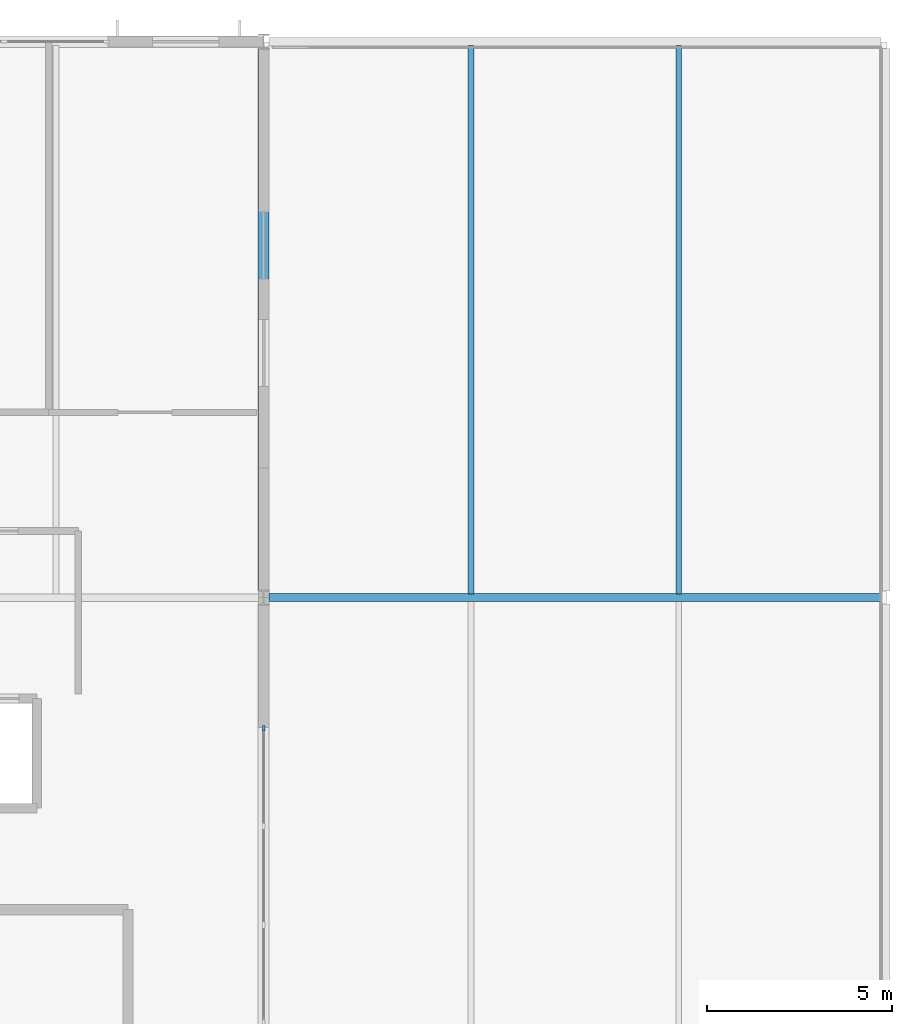
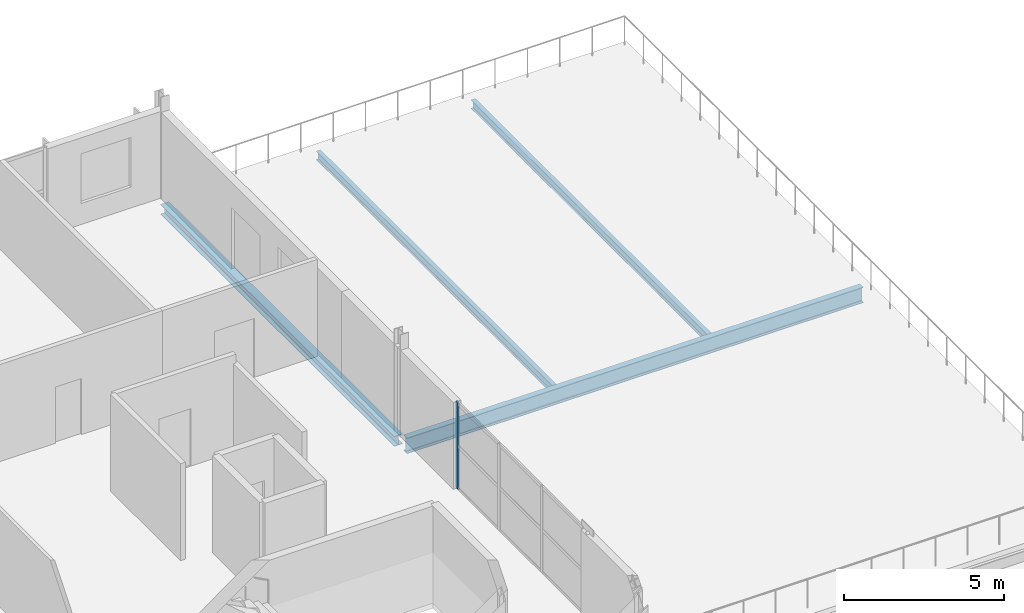
# One storey, part 23 of 36: 4 beams, 1 member, 1 element without a shape of its own.
"""IFC4 building model written with IfcOpenShell, lengths in metres."""

from ifc_helpers import new_model, si_unit, direction, frame, origin, origin_2d, place, context, subcontext, project, spatial, rectangle, i_section, extrude, material, material_profile, profile_set, type_object, element, aggregate, save


model = new_model("IFC4")

# Units and contexts
model_context = context("Model", 3, precision=1e-05, world=origin(), true_north=direction((0.0, 1.0)))
body_context = subcontext(model_context, "Body", "Model", "MODEL_VIEW")
ifc_project = project(units=[si_unit("LENGTHUNIT", "METRE"), si_unit("AREAUNIT", "SQUARE_METRE"), si_unit("VOLUMEUNIT", "CUBIC_METRE"), si_unit("PLANEANGLEUNIT", "RADIAN"), si_unit("MASSUNIT", "GRAM", prefix="KILO")], contexts=[model_context])

# Site, building, storey
site_placement = place(None, origin())
site = spatial("IfcSite", under=ifc_project, at=site_placement, CompositionType="ELEMENT")
building_placement = place(site_placement, origin())
building = spatial("IfcBuilding", under=site, at=building_placement, Name="Kimbaza Rail Terminus", CompositionType="ELEMENT")
storey_placement = place(building_placement, frame((0.0, 0.0, 21.0)))
storey = spatial("IfcBuildingStorey", under=building, at=storey_placement, Name="L04", CompositionType="ELEMENT", Elevation=21.0)

# Curtain wall, member
ifc_material_1 = material(Name="Anodised aluminium framing and solar low-E glazing", Category="aluminium")
curtain_wall_type = type_object("IfcCurtainWallType", Name="ARC-CW-OP2", PredefinedType="USERDEFINED", material=ifc_material_1)
curtain_wall_placement = place(storey_placement, origin())
curtain_wall = element("IfcCurtainWall", 1, at=curtain_wall_placement, inside=storey, type_object=curtain_wall_type, Name="Operations E Curtain Wall L04.1", ObjectType="STICK CURTAIN WALL", PredefinedType="USERDEFINED")
ifc_material_2 = material(Name="Anodised architectural aluminium", Category="aluminium")
ifc_material_profile_1 = material_profile(ifc_material_2, rectangle(XDim=0.05810546875, YDim=0.14990234375, at=origin_2d()), Name="MULLION 58x150")
ifc_profile_set_1 = profile_set([ifc_material_profile_1], Name="Anodised architectural aluminium")
member_type = type_object("IfcMemberType", Name="ARC-CWM-06", PredefinedType="MULLION", material=ifc_profile_set_1)
member_placement = place(storey_placement, frame((139.199951171875, 114.470947265625, 0.0), z_axis=(0.0, 0.0, 1.0), x_axis=(-1.0, 0.0, 0.0)))
member = element("IfcMember", 2, at=member_placement, type_object=member_type, Name="CW-06 mullion 4", PredefinedType="MULLION", context=body_context, shape_type="SweptSolid", body=[
    extrude(rectangle(XDim=0.05810546875, YDim=0.14990234375, at=origin_2d()), origin(), (0.0, 0.0, 1.0), 3.31494140625),
])
aggregate(curtain_wall, [member])

# Beams
ifc_material_3 = material(Name="Steel S355", Category="steel")
ifc_material_profile_2 = material_profile(ifc_material_3, i_section(OverallWidth=0.300048828125, OverallDepth=0.389892578125, WebThickness=0.010986328125, FlangeThickness=0.01904296875, FilletRadius=0.027099609375, at=origin_2d()), Name="HEA 400")
ifc_profile_set_2 = profile_set([ifc_material_profile_2], Name="Steel S355")
beam_type_1 = type_object("IfcBeamType", Name="STR-BM-HEA400", PredefinedType="SPANDREL", material=ifc_profile_set_2)
beam_1_placement = place(storey_placement, frame((139.199951171875, 118.175048828125, -0.39501953125), z_axis=(0.0, 1.0, 0.0), x_axis=(-1.0, 0.0, 0.0)))
element("IfcBeam", 3, at=beam_1_placement, inside=storey, type_object=beam_type_1, Name="Operations Cross Girder L04 X5-Y1", PredefinedType="SPANDREL", context=body_context, shape_type="SweptSolid", body=[
    extrude(i_section(OverallWidth=0.300048828125, OverallDepth=0.389892578125, WebThickness=0.010986328125, FlangeThickness=0.01904296875, FilletRadius=0.027099609375, at=origin_2d()), origin(), (0.0, 0.0, 1.0), 14.64990234375),
])
ifc_material_4 = material(Name="Steel S355", Category="steel")
ifc_material_profile_3 = material_profile(ifc_material_4, i_section(OverallWidth=0.159912109375, OverallDepth=0.330078125, WebThickness=0.007568359375, FlangeThickness=0.011474609375, FilletRadius=0.01806640625, at=origin_2d()), Name="IPE 330")
ifc_profile_set_3 = profile_set([ifc_material_profile_3], Name="Steel S355")
beam_type_2 = type_object("IfcBeamType", Name="STR-BM-IPE330", PredefinedType="JOIST", material=ifc_profile_set_3)
for number, where, z_axis, x_axis, name in (
    (4, (144.800048828125, 118.10009765625, -0.364990234375), (0.0, 1.0, 0.0), (-1.0, 0.0, 0.0), "Beam JST-TER4-1-1"),
    (5, (150.39990234375, 118.10009765625, -0.364990234375), (0.0, 1.0, 0.0), (-1.0, 0.0, 0.0), "Beam JST-TER4-2-1"),
):
    element("IfcBeam", number, at=place(storey_placement, frame(where, z_axis=z_axis, x_axis=x_axis)), inside=storey, type_object=beam_type_2, Name=name, PredefinedType="JOIST", context=body_context, shape_type="SweptSolid", body=[
        extrude(i_section(OverallWidth=0.159912109375, OverallDepth=0.330078125, WebThickness=0.007568359375, FlangeThickness=0.011474609375, FilletRadius=0.01806640625, at=origin_2d()), origin(), (0.0, 0.0, 1.0), 14.7998046875),
    ])
ifc_material_5 = material(Name="Steel S355", Category="steel")
ifc_material_profile_4 = material_profile(ifc_material_5, i_section(OverallWidth=0.219970703125, OverallDepth=0.60009765625, WebThickness=0.011962890625, FlangeThickness=0.01904296875, FilletRadius=0.02392578125, at=origin_2d()), Name="IPE 600")
ifc_profile_set_4 = profile_set([ifc_material_profile_4], Name="Steel S355")
beam_type_3 = type_object("IfcBeamType", Name="STR-BM-IPE600", PredefinedType="BEAM", material=ifc_profile_set_4)
beam_2_placement = place(storey_placement, frame((139.345947265625, 118.0, -0.5), z_axis=(1.0, 0.0, 0.0), x_axis=(0.0, 1.0, 0.0)))
element("IfcBeam", 6, at=beam_2_placement, inside=storey, type_object=beam_type_3, Name="Beam BM-TER4X-1", PredefinedType="BEAM", context=body_context, shape_type="SweptSolid", body=[
    extrude(i_section(OverallWidth=0.219970703125, OverallDepth=0.60009765625, WebThickness=0.011962890625, FlangeThickness=0.01904296875, FilletRadius=0.02392578125, at=origin_2d()), origin(), (0.0, 0.0, 1.0), 16.508056640625),
])

save(model, "model.ifc")
